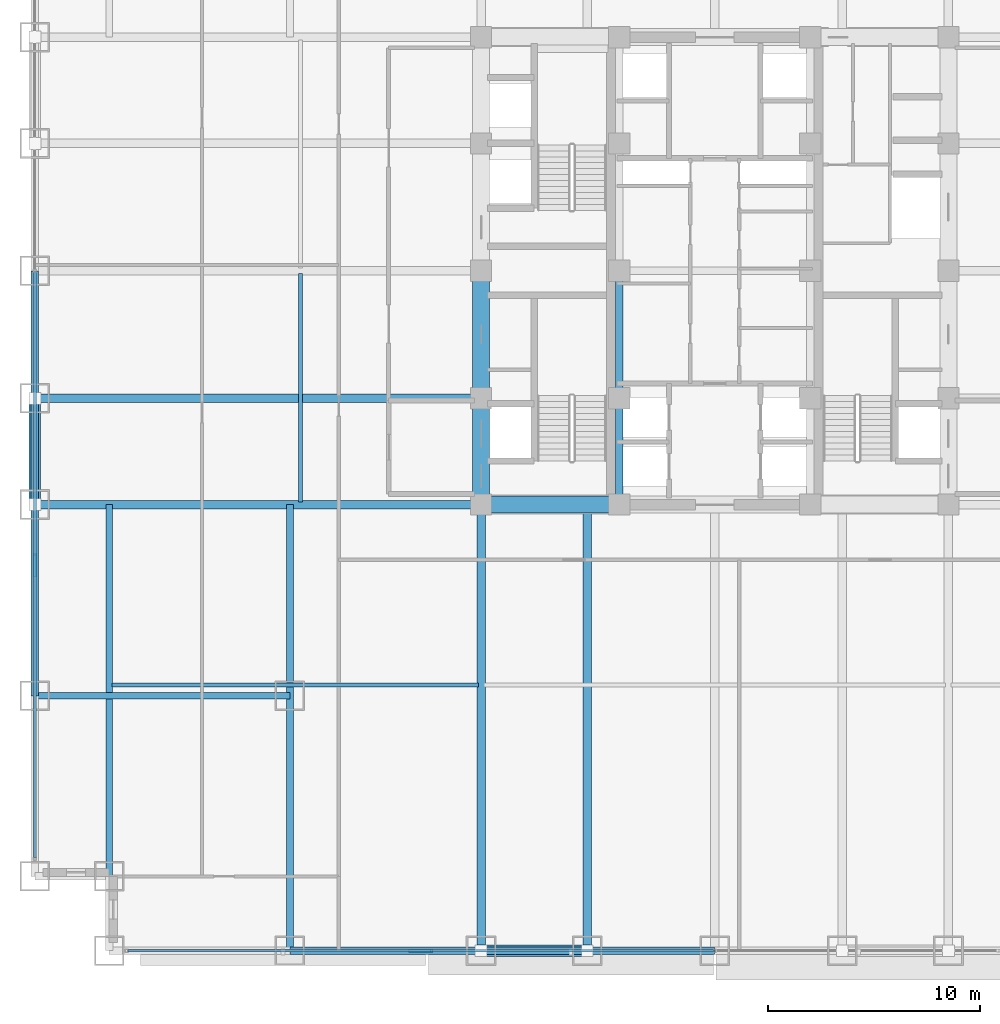
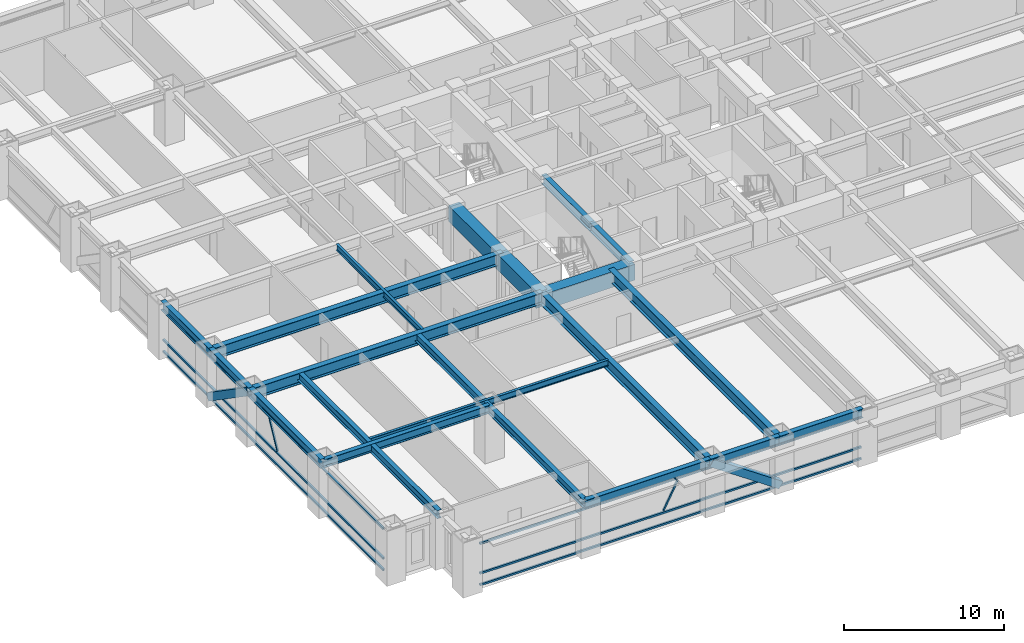
# One storey, part 3 of 32: 20 beams, 10 members, 2 elements without a shape of their own.
"""IFC4 building model written with IfcOpenShell, lengths in metres."""

import ifcopenshell
import ifcopenshell.guid

model = None  # the IFC model being written
_history = None  # IfcOwnerHistory: only IFC2X3 demands one
_inside = {}  # id of a spatial element -> (the spatial element, [elements in it])
_under = {}  # id of a project, library or spatial element -> (it, [spatial elements below it])
_declared = {}  # id of a project -> (the project, [libraries it declares])
_typed = {}  # id of a type object -> (the type object, [elements of that type])
_made_of = {}  # id of a material, layer set ... -> (it, [elements and type objects made of it])


def new_model(schema):
    """Start an empty IFC model of exactly this schema.

    Asked for "IFC4X3", IfcOpenShell would pick the latest addendum, in which some entities
    have other attributes; the version numbers below select the first issue.
    IFC2X3 requires an IfcOwnerHistory on every rooted entity: one is made here for all.
    """
    global model, _history
    if schema == "IFC4X3":
        model = ifcopenshell.file(schema_version=(4, 3, 0, 0))
    else:
        model = ifcopenshell.file(schema=schema)
    _inside.clear()
    _under.clear()
    _declared.clear()
    _typed.clear()
    _made_of.clear()
    _history = None
    if model.schema == "IFC2X3":
        org = make("IfcOrganization", Name="unknown")
        user = make(
            "IfcPersonAndOrganization",
            ThePerson=make("IfcPerson", FamilyName="unknown"),
            TheOrganization=org,
        )
        app = make(
            "IfcApplication",
            ApplicationDeveloper=org,
            Version="unknown",
            ApplicationFullName="unknown",
            ApplicationIdentifier="unknown",
        )
        _history = make(
            "IfcOwnerHistory",
            OwningUser=user,
            OwningApplication=app,
            ChangeAction="ADDED",
            CreationDate=0,
        )
    return model


def make(cls, **values):
    """One entity of the class cls with the attributes given. An attribute that is None is left unset."""
    return model.create_entity(
        cls, **{name: value for name, value in values.items() if value is not None}
    )


def rooted(cls, **values):
    """An entity with a GlobalId (a new one), such as an element, a storey or a relation."""
    return make(cls, GlobalId=ifcopenshell.guid.new(), OwnerHistory=_history, **values)


def si_unit(unit_type, name, prefix=None):
    """IfcSIUnit, for example si_unit("LENGTHUNIT", "METRE", prefix="MILLI")."""
    return make("IfcSIUnit", UnitType=unit_type, Prefix=prefix, Name=name)


def assignment(units):
    """IfcUnitAssignment: the units of a project."""
    return None if units is None else make("IfcUnitAssignment", Units=units)


def point(xyz):
    """IfcCartesianPoint."""
    return None if xyz is None else make("IfcCartesianPoint", Coordinates=xyz)


def direction(xyz):
    """IfcDirection."""
    return None if xyz is None else make("IfcDirection", DirectionRatios=xyz)


def frame(location, z_axis=None, x_axis=None):
    """IfcAxis2Placement3D, a coordinate frame: its origin and axes. An axis left out is left unset."""
    return make(
        "IfcAxis2Placement3D",
        Location=point(location),
        Axis=direction(z_axis),
        RefDirection=direction(x_axis),
    )


def frame_2d(location, x_axis=None):
    """IfcAxis2Placement2D, a coordinate frame in the plane: its origin and x axis."""
    return make(
        "IfcAxis2Placement2D", Location=point(location), RefDirection=direction(x_axis)
    )


def origin():
    """The frame at (0, 0, 0) with its axes left unset."""
    return frame((0.0, 0.0, 0.0))


def origin_2d():
    """The frame at (0, 0) in the plane with its x axis left unset."""
    return frame_2d((0.0, 0.0))


def place(relative_to, where):
    """IfcLocalPlacement: puts the frame where relative to a parent placement (None: the world)."""
    return make(
        "IfcLocalPlacement", PlacementRelTo=relative_to, RelativePlacement=where
    )


def context(
    kind, dimensions, precision=None, world=None, true_north=None, identifier=None
):
    """IfcGeometricRepresentationContext, for example the 3D "Model" context."""
    return make(
        "IfcGeometricRepresentationContext",
        ContextIdentifier=identifier,
        ContextType=kind,
        CoordinateSpaceDimension=dimensions,
        Precision=precision,
        WorldCoordinateSystem=world,
        TrueNorth=true_north,
    )


def subcontext(parent, identifier, kind, view, scale=None):
    """IfcGeometricRepresentationSubContext, for example "Body" below "Model"."""
    return make(
        "IfcGeometricRepresentationSubContext",
        ContextIdentifier=identifier,
        ContextType=kind,
        ParentContext=parent,
        TargetScale=scale,
        TargetView=view,
    )


def project(units=None, contexts=None):
    """IfcProject with its units and contexts."""
    return rooted(
        "IfcProject",
        Name="project",
        RepresentationContexts=contexts,
        UnitsInContext=assignment(units),
    )


def spatial(cls, under=None, at=None, **own):
    """A site, building, storey or space (cls), placed at a placement, below another one or the project."""
    s = rooted(cls, ObjectPlacement=at, **own)
    if under is not None:
        _under.setdefault(under.id(), (under, []))[1].append(s)
    return s


def profile(cls, at=None, kind="AREA", **sizes):
    """A parametric profile (cls). Its sizes go by their IFC names, for example OverallWidth=200.0."""
    return make(cls, ProfileType=kind, Position=at, **sizes)


def rectangle(**sizes):
    """IfcRectangleProfileDef."""
    return profile("IfcRectangleProfileDef", **sizes)


def hollow_rectangle(**sizes):
    """IfcRectangleHollowProfileDef."""
    return profile("IfcRectangleHollowProfileDef", **sizes)


def i_section(**sizes):
    """IfcIShapeProfileDef."""
    return profile("IfcIShapeProfileDef", **sizes)


def extrude(swept, where, along, depth):
    """IfcExtrudedAreaSolid: the profile swept, set in the frame where, extruded along a direction by depth."""
    return make(
        "IfcExtrudedAreaSolid",
        SweptArea=swept,
        Position=where,
        ExtrudedDirection=direction(along),
        Depth=depth,
    )


def shape(context_of_items, identifier, shape_type, items):
    """IfcShapeRepresentation: the items that make up one representation, for example the "Body"."""
    return make(
        "IfcShapeRepresentation",
        ContextOfItems=context_of_items,
        RepresentationIdentifier=identifier,
        RepresentationType=shape_type,
        Items=items,
    )


def source(mapping_origin, context_of_items, identifier, shape_type, items):
    """IfcRepresentationMap: a shape defined once, which mapped items show again and again."""
    return make(
        "IfcRepresentationMap",
        MappingOrigin=mapping_origin,
        MappedRepresentation=shape(context_of_items, identifier, shape_type, items),
    )


def transform(
    local_origin,
    x_axis=None,
    y_axis=None,
    z_axis=None,
    scale=None,
    scale2=None,
    scale3=None,
    uniform=True,
):
    """IfcCartesianTransformationOperator3D, or its non-uniform kind. x_axis, y_axis, z_axis: its Axis1, 2, 3."""
    if uniform:
        return make(
            "IfcCartesianTransformationOperator3D",
            Axis1=direction(x_axis),
            Axis2=direction(y_axis),
            LocalOrigin=point(local_origin),
            Scale=scale,
            Axis3=direction(z_axis),
        )
    return make(
        "IfcCartesianTransformationOperator3DnonUniform",
        Axis1=direction(x_axis),
        Axis2=direction(y_axis),
        LocalOrigin=point(local_origin),
        Scale=scale,
        Axis3=direction(z_axis),
        Scale2=scale2,
        Scale3=scale3,
    )


def mapped(mapping_source, mapping_target):
    """IfcMappedItem: shows the shape of a source again, moved by a transform."""
    return make(
        "IfcMappedItem", MappingSource=mapping_source, MappingTarget=mapping_target
    )


def material(Name=None, Category=None):
    """IfcMaterial."""
    return make("IfcMaterial", Name=Name, Category=Category)


def material_profile(
    of_material, cross_section, Name=None, Category=None, Priority=None
):
    """IfcMaterialProfile: a cross section and its material."""
    return make(
        "IfcMaterialProfile",
        Name=Name,
        Material=of_material,
        Profile=cross_section,
        Priority=Priority,
        Category=Category,
    )


def profile_set(profiles, Name=None, composite=None):
    """IfcMaterialProfileSet."""
    return make(
        "IfcMaterialProfileSet",
        Name=Name,
        MaterialProfiles=profiles,
        CompositeProfile=composite,
    )


def made_of(thing, what):
    """Note that an element or type object is made of a material, layer set ...; save() writes the relation."""
    if what is not None:
        _made_of.setdefault(what.id(), (what, []))[1].append(thing)
    return thing


def type_object(cls, material=None, **own):
    """A type object (cls), such as IfcWallType, which elements share."""
    return made_of(rooted(cls, **own), material)


def element(
    cls,
    number,
    at=None,
    inside=None,
    cuts=None,
    type_object=None,
    material=None,
    context=None,
    identifier="Body",
    shape_type=None,
    held_by="IfcProductDefinitionShape",
    body=None,
    shapes=None,
    **own,
):
    """One element of the class cls, such as IfcWall. Its Tag is "e" and its number.

    at: its placement. inside: the storey or other place that contains it. cuts: it is an
    opening in that element (IfcRelVoidsElement). A single representation is given by context,
    identifier, shape_type and body (its items); several are given by shapes. held_by: the class
    of the entity that holds the representations. save() writes the other relations.
    """
    e = rooted(cls, Tag="e%d" % number, ObjectPlacement=at, **own)
    if body is not None:
        shapes = [shape(context, identifier, shape_type, body)]
    if shapes is not None:
        e.Representation = make(held_by, Representations=shapes)
    if inside is not None:
        _inside.setdefault(inside.id(), (inside, []))[1].append(e)
    if cuts is not None:
        rooted(
            "IfcRelVoidsElement", RelatingBuildingElement=cuts, RelatedOpeningElement=e
        )
    if type_object is not None:
        _typed.setdefault(type_object.id(), (type_object, []))[1].append(e)
    return made_of(e, material)


def aggregate(whole, parts):
    """IfcRelAggregates: a whole, such as a stair, and the parts it consists of."""
    return rooted("IfcRelAggregates", RelatingObject=whole, RelatedObjects=parts)


def save(model, path):
    """Write the relations noted so far, then the file.

    IfcRelAggregates (storeys below a building ...), IfcRelContainedInSpatialStructure (elements
    in a storey), IfcRelDefinesByType, IfcRelAssociatesMaterial and IfcRelDeclares: one each for
    every whole, place, type object, material and project.
    """
    for whole, parts in _under.values():
        aggregate(whole, parts)
    for where, things in _inside.values():
        rooted(
            "IfcRelContainedInSpatialStructure",
            RelatedElements=things,
            RelatingStructure=where,
        )
    for kind, things in _typed.values():
        rooted("IfcRelDefinesByType", RelatedObjects=things, RelatingType=kind)
    for what, things in _made_of.values():
        rooted("IfcRelAssociatesMaterial", RelatedObjects=things, RelatingMaterial=what)
    for by, libraries in _declared.values():
        rooted("IfcRelDeclares", RelatingContext=by, RelatedDefinitions=libraries)
    model.write(path)


model = new_model("IFC4")

# Units and contexts
model_context = context("Model", 3, precision=1e-05, world=origin(), true_north=direction((0.0, 1.0)))
body_context = subcontext(model_context, "Body", "Model", "MODEL_VIEW")
ifc_project = project(units=[si_unit("LENGTHUNIT", "METRE"), si_unit("AREAUNIT", "SQUARE_METRE"), si_unit("VOLUMEUNIT", "CUBIC_METRE"), si_unit("PLANEANGLEUNIT", "RADIAN"), si_unit("MASSUNIT", "GRAM", prefix="KILO")], contexts=[model_context])

# Site, building, storey
site_placement = place(None, origin())
site = spatial("IfcSite", under=ifc_project, at=site_placement, CompositionType="ELEMENT")
building_placement = place(site_placement, origin())
building = spatial("IfcBuilding", under=site, at=building_placement, Name="Khorayat Bourse Tower", CompositionType="ELEMENT")
storey_placement = place(building_placement, frame((0.0, 0.0, 78.800048828125)))
storey = spatial("IfcBuildingStorey", under=building, at=storey_placement, Name="L17", CompositionType="ELEMENT", Elevation=78.800048828125)

# Beams
ifc_material_1 = material(Name="Concrete C72/90", Category="concrete")
ifc_material_profile_1 = material_profile(ifc_material_1, rectangle(XDim=0.800048828125, YDim=1.199951171875, at=origin_2d()), Name="RC 800x1200")
ifc_profile_set_1 = profile_set([ifc_material_profile_1], Name="Concrete C72/90")
beam_type_1 = type_object("IfcBeamType", Name="BM-COUP-1200", PredefinedType="BEAM", material=ifc_profile_set_1)
shared_shape_1 = source(origin(), body_context, "Body", "SweptSolid", [
    extrude(rectangle(XDim=0.800048828125, YDim=1.199951171875, at=origin_2d()), origin(), (0.0, 0.0, 1.0), 5.0),
])
beam_1_placement = place(storey_placement, frame((-11.0, -11.0, 3.33984375), z_axis=(0.0, 1.0, 0.0), x_axis=(-1.0, 0.0, 0.0)))
element("IfcBeam", 1, at=beam_1_placement, inside=storey, type_object=beam_type_1, Name="L17 BM-COUP-1200 BM-L17-CRX-01", PredefinedType="BEAM", context=body_context, shape_type="MappedRepresentation", body=[
    mapped(shared_shape_1, transform((0.0, 0.0, 0.0), scale=1.0)),
])
shared_shape_2 = source(origin(), body_context, "Body", "SweptSolid", [
    extrude(rectangle(XDim=0.800048828125, YDim=1.199951171875, at=origin_2d()), origin(), (0.0, 0.0, 1.0), 6.0),
])
beam_2_placement = place(storey_placement, frame((-11.0, -6.0, 3.33984375), z_axis=(0.0, 1.0, 0.0), x_axis=(-1.0, 0.0, 0.0)))
element("IfcBeam", 2, at=beam_2_placement, inside=storey, type_object=beam_type_1, Name="L17 BM-COUP-1200 BM-L17-CRX-02", PredefinedType="BEAM", context=body_context, shape_type="MappedRepresentation", body=[
    mapped(shared_shape_2, transform((0.0, 0.0, 0.0), scale=1.0)),
])
ifc_material_2 = material(Name="Steel ASTM A992 Grade 50", Category="steel")
ifc_material_profile_2 = material_profile(ifc_material_2, i_section(OverallWidth=0.35498046875, OverallDepth=0.695068359375, WebThickness=0.015380859375, FlangeThickness=0.02490234375, FilletRadius=0.01806640625, at=origin_2d()), Name="W690X217")
ifc_profile_set_2 = profile_set([ifc_material_profile_2], Name="Steel ASTM A992 Grade 50")
beam_type_2 = type_object("IfcBeamType", Name="BM-GIRD-690", PredefinedType="BEAM", material=ifc_profile_set_2)
shared_shape_3 = source(origin(), body_context, "Body", "SweptSolid", [
    extrude(i_section(OverallWidth=0.35498046875, OverallDepth=0.695068359375, WebThickness=0.015380859375, FlangeThickness=0.02490234375, FilletRadius=0.01806640625, at=origin_2d()), origin(), (0.0, 0.0, 1.0), 5.0),
])
beam_3_placement = place(storey_placement, frame((-4.5, -11.0, 3.592529296875), z_axis=(0.0, 1.0, 0.0), x_axis=(-1.0, 0.0, 0.0)))
element("IfcBeam", 3, at=beam_3_placement, inside=storey, type_object=beam_type_2, Name="L17 BM-GIRD-690 BM-L17-CRX-05", PredefinedType="BEAM", context=body_context, shape_type="MappedRepresentation", body=[
    mapped(shared_shape_3, transform((0.0, 0.0, 0.0), scale=1.0)),
])
shared_shape_4 = source(origin(), body_context, "Body", "SweptSolid", [
    extrude(i_section(OverallWidth=0.35498046875, OverallDepth=0.695068359375, WebThickness=0.015380859375, FlangeThickness=0.02490234375, FilletRadius=0.01806640625, at=origin_2d()), origin(), (0.0, 0.0, 1.0), 6.0),
])
beam_4_placement = place(storey_placement, frame((-4.5, -6.0, 3.592529296875), z_axis=(0.0, 1.0, 0.0), x_axis=(-1.0, 0.0, 0.0)))
element("IfcBeam", 4, at=beam_4_placement, inside=storey, type_object=beam_type_2, Name="L17 BM-GIRD-690 BM-L17-CRX-06", PredefinedType="BEAM", context=body_context, shape_type="MappedRepresentation", body=[
    mapped(shared_shape_4, transform((0.0, 0.0, 0.0), scale=1.0)),
])
shared_shape_5 = source(origin(), body_context, "Body", "SweptSolid", [
    extrude(rectangle(XDim=0.800048828125, YDim=1.199951171875, at=origin_2d()), origin(), (0.0, 0.0, 1.0), 6.5),
])
beam_5_placement = place(storey_placement, frame((-11.0, -11.0, 3.33984375), z_axis=(1.0, 0.0, 0.0), x_axis=(0.0, 1.0, 0.0)))
element("IfcBeam", 5, at=beam_5_placement, inside=storey, type_object=beam_type_1, Name="L17 BM-COUP-1200 BM-L17-CRY-17", PredefinedType="BEAM", context=body_context, shape_type="MappedRepresentation", body=[
    mapped(shared_shape_5, transform((0.0, 0.0, 0.0), scale=1.0)),
])
ifc_material_profile_3 = material_profile(ifc_material_2, i_section(OverallWidth=0.35498046875, OverallDepth=0.695068359375, WebThickness=0.015380859375, FlangeThickness=0.02490234375, FilletRadius=0.01806640625, at=origin_2d()), Name="W690X217")
ifc_profile_set_3 = profile_set([ifc_material_profile_3], Name="Steel ASTM A992 Grade 50")
beam_type_3 = type_object("IfcBeamType", Name="BM-SPAN-690", PredefinedType="SPANDREL", material=ifc_profile_set_3)
shared_shape_6 = source(origin(), body_context, "Body", "SweptSolid", [
    extrude(i_section(OverallWidth=0.35498046875, OverallDepth=0.695068359375, WebThickness=0.015380859375, FlangeThickness=0.02490234375, FilletRadius=0.01806640625, at=origin_2d()), origin(), (0.0, 0.0, 1.0), 9.0),
])
for number, where, z_axis, x_axis, name in (
    (6, (-20.0, -32.0, 3.592529296875), (1.0, 0.0, 0.0), (0.0, 1.0, 0.0), "L17 BM-SPAN-690 BM-L17-SPN-025"),
    (7, (-32.0, -20.0, 3.592529296875), (0.0, 1.0, 0.0), (-1.0, 0.0, 0.0), "L17 BM-SPAN-690 BM-L17-SPN-060"),
):
    element("IfcBeam", number, at=place(storey_placement, frame(where, z_axis=z_axis, x_axis=x_axis)), inside=storey, type_object=beam_type_3, Name=name, PredefinedType="SPANDREL", context=body_context, shape_type="MappedRepresentation", body=[
        mapped(shared_shape_6, transform((0.0, 0.0, 0.0), scale=1.0)),
    ])
shared_shape_7 = source(origin(), body_context, "Body", "SweptSolid", [
    extrude(i_section(OverallWidth=0.35498046875, OverallDepth=0.695068359375, WebThickness=0.015380859375, FlangeThickness=0.02490234375, FilletRadius=0.01806640625, at=origin_2d()), origin(), (0.0, 0.0, 1.0), 5.0),
])
for number, where, z_axis, x_axis, name in (
    (8, (-11.0, -32.0, 3.592529296875), (1.0, 0.0, 0.0), (0.0, 1.0, 0.0), "L17 BM-SPAN-690 BM-L17-SPN-026"),
    (9, (-32.0, -11.0, 3.592529296875), (0.0, 1.0, 0.0), (-1.0, 0.0, 0.0), "L17 BM-SPAN-690 BM-L17-SPN-059"),
):
    element("IfcBeam", number, at=place(storey_placement, frame(where, z_axis=z_axis, x_axis=x_axis)), inside=storey, type_object=beam_type_3, Name=name, PredefinedType="SPANDREL", context=body_context, shape_type="MappedRepresentation", body=[
        mapped(shared_shape_7, transform((0.0, 0.0, 0.0), scale=1.0)),
    ])
shared_shape_8 = source(origin(), body_context, "Body", "SweptSolid", [
    extrude(i_section(OverallWidth=0.35498046875, OverallDepth=0.695068359375, WebThickness=0.015380859375, FlangeThickness=0.02490234375, FilletRadius=0.01806640625, at=origin_2d()), origin(), (0.0, 0.0, 1.0), 6.0),
])
for number, where, z_axis, x_axis, name in (
    (10, (-6.0, -32.0, 3.592529296875), (1.0, 0.0, 0.0), (0.0, 1.0, 0.0), "L17 BM-SPAN-690 BM-L17-SPN-027"),
    (11, (-32.0, -6.0, 3.592529296875), (0.0, 1.0, 0.0), (-1.0, 0.0, 0.0), "L17 BM-SPAN-690 BM-L17-SPN-058"),
):
    element("IfcBeam", number, at=place(storey_placement, frame(where, z_axis=z_axis, x_axis=x_axis)), inside=storey, type_object=beam_type_3, Name=name, PredefinedType="SPANDREL", context=body_context, shape_type="MappedRepresentation", body=[
        mapped(shared_shape_8, transform((0.0, 0.0, 0.0), scale=1.0)),
    ])
ifc_material_profile_4 = material_profile(ifc_material_2, i_section(OverallWidth=0.39990234375, OverallDepth=0.85498046875, WebThickness=0.018310546875, FlangeThickness=0.029296875, FilletRadius=0.02001953125, at=origin_2d()), Name="W840X299")
ifc_profile_set_4 = profile_set([ifc_material_profile_4], Name="Steel ASTM A992 Grade 50")
beam_type_4 = type_object("IfcBeamType", Name="BM-GIRD-840", PredefinedType="BEAM", material=ifc_profile_set_4)
shared_shape_9 = source(origin(), body_context, "Body", "SweptSolid", [
    extrude(i_section(OverallWidth=0.39990234375, OverallDepth=0.85498046875, WebThickness=0.018310546875, FlangeThickness=0.029296875, FilletRadius=0.02001953125, at=origin_2d()), origin(), (0.0, 0.0, 1.0), 21.0),
])
for number, where, z_axis, x_axis, name in (
    (12, (-11.0, -32.0, 3.512451171875), (0.0, 1.0, 0.0), (-1.0, 0.0, 0.0), "L17 BM-GIRD-840 BM-L17-RADY-065"),
    (13, (-6.0, -32.0, 3.512451171875), (0.0, 1.0, 0.0), (-1.0, 0.0, 0.0), "L17 BM-GIRD-840 BM-L17-RADY-067"),
    (14, (-32.0, -11.0, 3.512451171875), (1.0, 0.0, 0.0), (0.0, 1.0, 0.0), "L17 BM-GIRD-840 BM-L17-RADX-075"),
    (15, (-32.0, -6.0, 3.512451171875), (1.0, 0.0, 0.0), (0.0, 1.0, 0.0), "L17 BM-GIRD-840 BM-L17-RADX-077"),
):
    element("IfcBeam", number, at=place(storey_placement, frame(where, z_axis=z_axis, x_axis=x_axis)), inside=storey, type_object=beam_type_4, Name=name, PredefinedType="BEAM", context=body_context, shape_type="MappedRepresentation", body=[
        mapped(shared_shape_9, transform((0.0, 0.0, 0.0), scale=1.0)),
    ])
ifc_material_profile_5 = material_profile(ifc_material_2, i_section(OverallWidth=0.324951171875, OverallDepth=0.615966796875, WebThickness=0.013916015625, FlangeThickness=0.021484375, FilletRadius=0.01611328125, at=origin_2d()), Name="W610X174")
ifc_profile_set_5 = profile_set([ifc_material_profile_5], Name="Steel ASTM A992 Grade 50")
beam_type_5 = type_object("IfcBeamType", Name="BM-GIRD-610", PredefinedType="BEAM", material=ifc_profile_set_5)
shared_shape_10 = source(origin(), body_context, "Body", "SweptSolid", [
    extrude(i_section(OverallWidth=0.324951171875, OverallDepth=0.615966796875, WebThickness=0.013916015625, FlangeThickness=0.021484375, FilletRadius=0.01611328125, at=origin_2d()), origin(), (0.0, 0.0, 1.0), 21.0),
])
beam_6_placement = place(storey_placement, frame((-20.0, -32.0, 3.6318359375), z_axis=(0.0, 1.0, 0.0), x_axis=(-1.0, 0.0, 0.0)))
element("IfcBeam", 16, at=beam_6_placement, inside=storey, type_object=beam_type_5, Name="L17 BM-GIRD-610 BM-L17-CNRY-084", PredefinedType="BEAM", context=body_context, shape_type="MappedRepresentation", body=[
    mapped(shared_shape_10, transform((0.0, 0.0, 0.0), scale=1.0)),
])
shared_shape_11 = source(origin(), body_context, "Body", "SweptSolid", [
    extrude(i_section(OverallWidth=0.324951171875, OverallDepth=0.615966796875, WebThickness=0.013916015625, FlangeThickness=0.021484375, FilletRadius=0.01611328125, at=origin_2d()), origin(), (0.0, 0.0, 1.0), 17.5),
])
beam_7_placement = place(storey_placement, frame((-28.5, -28.5, 3.6318359375), z_axis=(0.0, 1.0, 0.0), x_axis=(-1.0, 0.0, 0.0)))
element("IfcBeam", 17, at=beam_7_placement, inside=storey, type_object=beam_type_5, Name="L17 BM-GIRD-610 BM-L17-CNRY-088", PredefinedType="BEAM", context=body_context, shape_type="MappedRepresentation", body=[
    mapped(shared_shape_11, transform((0.0, 0.0, 0.0), scale=1.0)),
])
shared_shape_12 = source(origin(), body_context, "Body", "SweptSolid", [
    extrude(i_section(OverallWidth=0.324951171875, OverallDepth=0.615966796875, WebThickness=0.013916015625, FlangeThickness=0.021484375, FilletRadius=0.01611328125, at=origin_2d()), origin(), (0.0, 0.0, 1.0), 12.0),
])
beam_8_placement = place(storey_placement, frame((-32.0, -20.0, 3.6318359375), z_axis=(1.0, 0.0, 0.0), x_axis=(0.0, 1.0, 0.0)))
element("IfcBeam", 18, at=beam_8_placement, inside=storey, type_object=beam_type_5, Name="L17 BM-GIRD-610 BM-L17-CNRX-093", PredefinedType="BEAM", context=body_context, shape_type="MappedRepresentation", body=[
    mapped(shared_shape_12, transform((0.0, 0.0, 0.0), scale=1.0)),
])
ifc_material_profile_6 = material_profile(ifc_material_2, i_section(OverallWidth=0.194091796875, OverallDepth=0.468994140625, WebThickness=0.0126953125, FlangeThickness=0.0205078125, FilletRadius=0.012939453125, at=origin_2d()), Name="W460X106")
ifc_profile_set_6 = profile_set([ifc_material_profile_6], Name="Steel ASTM A992 Grade 50")
beam_type_6 = type_object("IfcBeamType", Name="BM-JOIST-460", PredefinedType="JOIST", material=ifc_profile_set_6)
shared_shape_13 = source(origin(), body_context, "Body", "SweptSolid", [
    extrude(i_section(OverallWidth=0.194091796875, OverallDepth=0.468994140625, WebThickness=0.0126953125, FlangeThickness=0.0205078125, FilletRadius=0.012939453125, at=origin_2d()), origin(), (0.0, 0.0, 1.0), 17.240234375),
])
beam_9_placement = place(storey_placement, frame((-28.3701171875, -19.5, 3.70556640625), z_axis=(1.0, 0.0, 0.0), x_axis=(0.0, 1.0, 0.0)))
element("IfcBeam", 19, at=beam_9_placement, inside=storey, type_object=beam_type_6, Name="L17 BM-JOIST-460 BM-L17-JSTX-096", PredefinedType="JOIST", context=body_context, shape_type="MappedRepresentation", body=[
    mapped(shared_shape_13, transform((0.0, 0.0, 0.0), scale=1.0)),
])
shared_shape_14 = source(origin(), body_context, "Body", "SweptSolid", [
    extrude(i_section(OverallWidth=0.194091796875, OverallDepth=0.468994140625, WebThickness=0.0126953125, FlangeThickness=0.0205078125, FilletRadius=0.012939453125, at=origin_2d()), origin(), (0.0, 0.0, 1.0), 10.740234375),
])
beam_10_placement = place(storey_placement, frame((-19.5, -10.8701171875, 3.70556640625), z_axis=(0.0, 1.0, 0.0), x_axis=(-1.0, 0.0, 0.0)))
element("IfcBeam", 20, at=beam_10_placement, inside=storey, type_object=beam_type_6, Name="L17 BM-JOIST-460 BM-L17-JSTY-102", PredefinedType="JOIST", context=body_context, shape_type="MappedRepresentation", body=[
    mapped(shared_shape_14, transform((0.0, 0.0, 0.0), scale=1.0)),
])

# Members
ifc_material_3 = material(Name="Steel EN 10025-4 S460M", Category="steel")
ifc_material_profile_7 = material_profile(ifc_material_3, hollow_rectangle(XDim=0.550048828125, YDim=0.550048828125, WallThickness=0.031982421875, at=origin_2d()), Name="HSS 550x550x32")
ifc_profile_set_7 = profile_set([ifc_material_profile_7], Name="Steel EN 10025-4 S460M")
member_type_1 = type_object("IfcMemberType", Name="MBR-TUBE-550", PredefinedType="BRACE", material=ifc_profile_set_7)
shared_shape_15 = source(origin(), body_context, "Body", "SweptSolid", [
    extrude(hollow_rectangle(XDim=0.550048828125, YDim=0.550048828125, WallThickness=0.031982421875, at=origin_2d()), origin(), (0.0, 0.0, 1.0), 6.069091796875),
])
for number, where, z_axis, x_axis, name in (
    (21, (-11.0, -32.0, 3.68994140625), (0.823854080622, 0.0, -0.566801952928), (0.0, 1.0, 0.0), "L17 Perimeter Tube Brace 01"),
    (22, (-32.0, -11.0, 3.68994140625), (0.0, 0.823854080622, -0.566801952928), (-1.0, 0.0, 0.0), "L17 Perimeter Tube Brace 05"),
):
    element("IfcMember", number, at=place(storey_placement, frame(where, z_axis=z_axis, x_axis=x_axis)), inside=storey, type_object=member_type_1, Name=name, PredefinedType="BRACE", context=body_context, shape_type="MappedRepresentation", body=[
        mapped(shared_shape_15, transform((0.0, 0.0, 0.0), scale=1.0)),
    ])

# Curtain wall, member
ifc_material_4 = material(Name="Aluminium EN AW-6063 T6", Category="aluminium")
curtain_wall_type = type_object("IfcCurtainWallType", Name="CW-SYS-02", PredefinedType="NOTDEFINED", material=ifc_material_4)
curtain_wall_1_placement = place(storey_placement, origin())
curtain_wall_1 = element("IfcCurtainWall", 23, at=curtain_wall_1_placement, inside=storey, type_object=curtain_wall_type, Name="L17 Curtain Wall CW-L17-S1", PredefinedType="NOTDEFINED")
ifc_material_profile_8 = material_profile(ifc_material_4, hollow_rectangle(XDim=0.1201171875, YDim=0.1201171875, WallThickness=0.0048828125, at=origin_2d()), Name="ALU 120x120x5")
ifc_profile_set_8 = profile_set([ifc_material_profile_8], Name="Aluminium EN AW-6063 T6")
member_type_2 = type_object("IfcMemberType", Name="CWM-DIAG-120", PredefinedType="MULLION", material=ifc_profile_set_8)
shared_shape_16 = source(origin(), body_context, "Body", "SweptSolid", [
    extrude(hollow_rectangle(XDim=0.1201171875, YDim=0.1201171875, WallThickness=0.0048828125, at=origin_2d()), origin(), (0.0, 0.0, 1.0), 2.226318359375),
])
member_1_placement = place(storey_placement, frame((-14.3583984375, -32.0, 1.099853515625), z_axis=(0.465714796031, 0.0, 0.884934872608), x_axis=(0.0, 1.0, 0.0)))
member_1 = element("IfcMember", 24, at=member_1_placement, type_object=member_type_2, Name="CW-L17-S1 Faceted Diagonal Mullion 1", PredefinedType="MULLION", context=body_context, shape_type="MappedRepresentation", body=[
    mapped(shared_shape_16, transform((0.0, 0.0, 0.0), scale=1.0)),
])

curtain_wall_2_placement = place(storey_placement, origin())
curtain_wall_2 = element("IfcCurtainWall", 25, at=curtain_wall_2_placement, inside=storey, type_object=curtain_wall_type, Name="L17 Curtain Wall CW-L17-W1", PredefinedType="NOTDEFINED")
member_2_placement = place(storey_placement, frame((-32.0, -14.3583984375, 1.099853515625), z_axis=(0.0, 0.465714796031, 0.884934872608), x_axis=(-1.0, 0.0, 0.0)))
member_2 = element("IfcMember", 26, at=member_2_placement, type_object=member_type_2, Name="CW-L17-W1 Faceted Diagonal Mullion 1", PredefinedType="MULLION", context=body_context, shape_type="MappedRepresentation", body=[
    mapped(shared_shape_16, transform((0.0, 0.0, 0.0), scale=1.0)),
])

# Member
ifc_material_profile_9 = material_profile(ifc_material_4, hollow_rectangle(XDim=0.139892578125, YDim=0.139892578125, WallThickness=0.006103515625, at=origin_2d()), Name="ALU 140x140x6")
ifc_profile_set_9 = profile_set([ifc_material_profile_9], Name="Aluminium EN AW-6063 T6")
member_type_3 = type_object("IfcMemberType", Name="CWT-HORZ-140", PredefinedType="USERDEFINED", material=ifc_profile_set_9)
shared_shape_17 = source(origin(), body_context, "Body", "SweptSolid", [
    extrude(hollow_rectangle(XDim=0.139892578125, YDim=0.139892578125, WallThickness=0.006103515625, at=origin_2d()), origin(), (0.0, 0.0, 1.0), 27.5400390625),
])
member_3_placement = place(storey_placement, frame((-27.610107421875, -32.0, 0.070068359375), z_axis=(1.0, 0.0, 0.0), x_axis=(0.0, 1.0, 0.0)))
member_3 = element("IfcMember", 27, at=member_3_placement, type_object=member_type_3, Name="CW-L17-S1 Horizontal Transom 1-1", ObjectType="TRANSOM", PredefinedType="USERDEFINED", context=body_context, shape_type="MappedRepresentation", body=[
    mapped(shared_shape_17, transform((0.0, 0.0, 0.0), scale=1.0)),
])

member_4_placement = place(storey_placement, frame((-27.610107421875, -32.0, 0.949951171875), z_axis=(1.0, 0.0, 0.0), x_axis=(0.0, 1.0, 0.0)))
member_4 = element("IfcMember", 28, at=member_4_placement, type_object=member_type_3, Name="CW-L17-S1 Horizontal Transom 1-2", ObjectType="TRANSOM", PredefinedType="USERDEFINED", context=body_context, shape_type="MappedRepresentation", body=[
    mapped(shared_shape_17, transform((0.0, 0.0, 0.0), scale=1.0)),
])

member_5_placement = place(storey_placement, frame((-27.610107421875, -32.0, 3.219970703125), z_axis=(1.0, 0.0, 0.0), x_axis=(0.0, 1.0, 0.0)))
member_5 = element("IfcMember", 29, at=member_5_placement, type_object=member_type_3, Name="CW-L17-S1 Horizontal Transom 1-3", ObjectType="TRANSOM", PredefinedType="USERDEFINED", context=body_context, shape_type="MappedRepresentation", body=[
    mapped(shared_shape_17, transform((0.0, 0.0, 0.0), scale=1.0)),
])

aggregate(curtain_wall_1, [member_3, member_4, member_5, member_1])

member_6_placement = place(storey_placement, frame((-32.0, -27.610107421875, 0.070068359375), z_axis=(0.0, 1.0, 0.0), x_axis=(-1.0, 0.0, 0.0)))
member_6 = element("IfcMember", 30, at=member_6_placement, type_object=member_type_3, Name="CW-L17-W1 Horizontal Transom 1-1", ObjectType="TRANSOM", PredefinedType="USERDEFINED", context=body_context, shape_type="MappedRepresentation", body=[
    mapped(shared_shape_17, transform((0.0, 0.0, 0.0), scale=1.0)),
])

member_7_placement = place(storey_placement, frame((-32.0, -27.610107421875, 0.949951171875), z_axis=(0.0, 1.0, 0.0), x_axis=(-1.0, 0.0, 0.0)))
member_7 = element("IfcMember", 31, at=member_7_placement, type_object=member_type_3, Name="CW-L17-W1 Horizontal Transom 1-2", ObjectType="TRANSOM", PredefinedType="USERDEFINED", context=body_context, shape_type="MappedRepresentation", body=[
    mapped(shared_shape_17, transform((0.0, 0.0, 0.0), scale=1.0)),
])

member_8_placement = place(storey_placement, frame((-32.0, -27.610107421875, 3.219970703125), z_axis=(0.0, 1.0, 0.0), x_axis=(-1.0, 0.0, 0.0)))
member_8 = element("IfcMember", 32, at=member_8_placement, type_object=member_type_3, Name="CW-L17-W1 Horizontal Transom 1-3", ObjectType="TRANSOM", PredefinedType="USERDEFINED", context=body_context, shape_type="MappedRepresentation", body=[
    mapped(shared_shape_17, transform((0.0, 0.0, 0.0), scale=1.0)),
])

aggregate(curtain_wall_2, [member_6, member_7, member_8, member_2])

save(model, "model.ifc")
